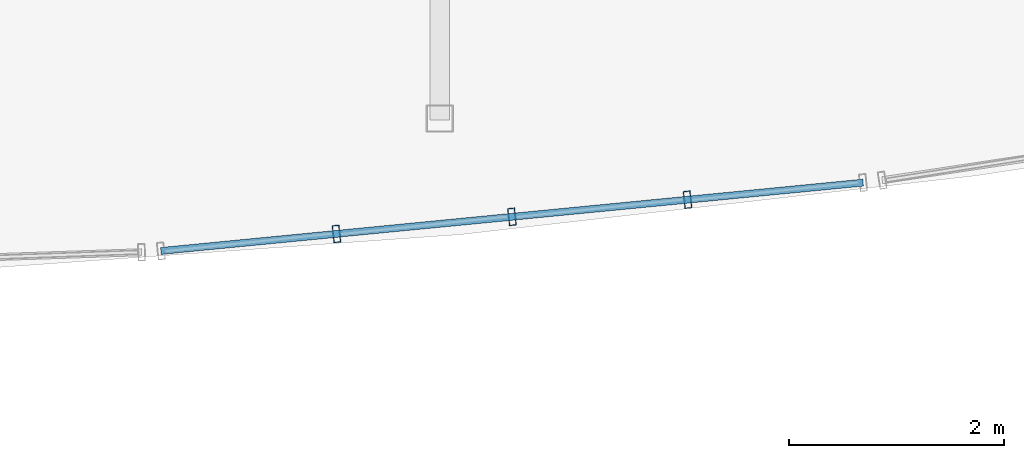
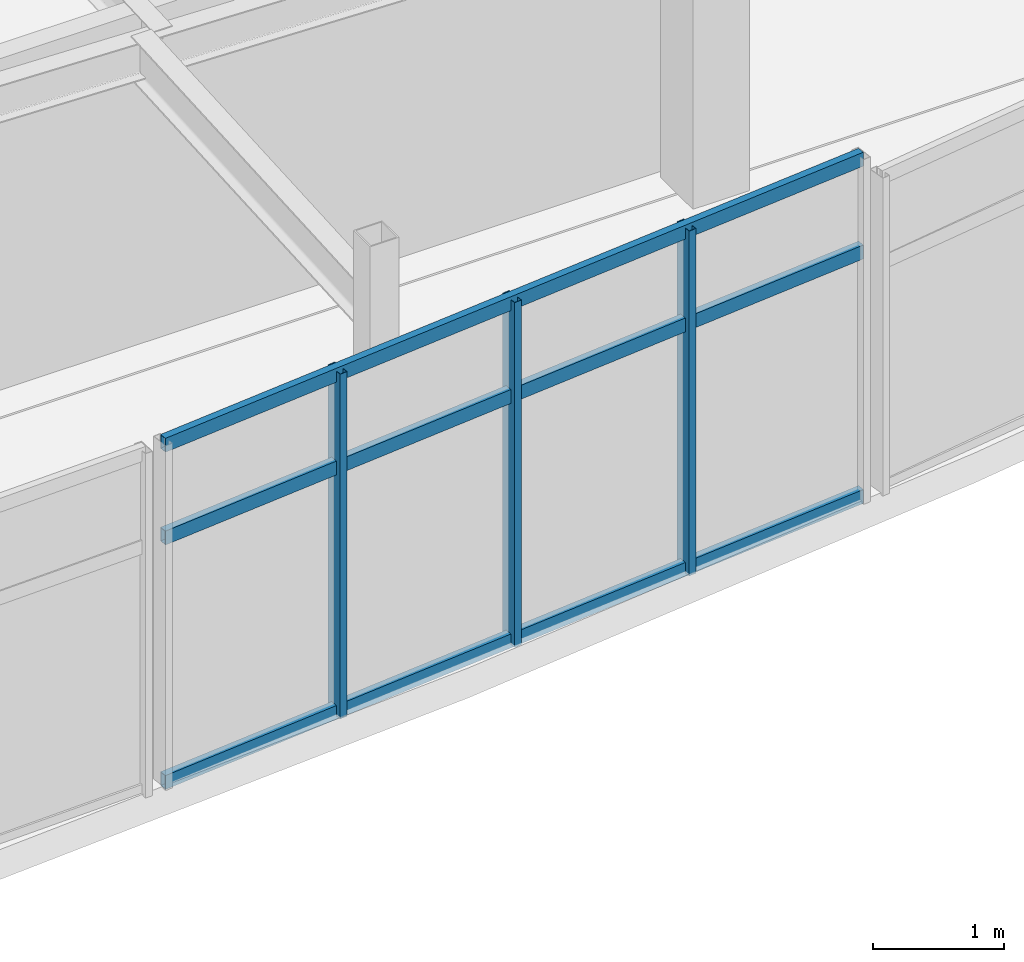
# One storey, part 26 of 65: 6 members, 1 element without a shape of its own.
"""IFC4 building model written with IfcOpenShell, lengths in metres."""

from ifc_helpers import new_model, si_unit, direction, frame, origin, origin_2d, place, context, subcontext, project, spatial, hollow_rectangle, extrude, material, layer, layer_set, material_profile, profile_set, type_object, element, aggregate, save


model = new_model("IFC4")

# Units and contexts
model_context = context("Model", 3, precision=1e-05, world=origin(), true_north=direction((0.0, 1.0)))
body_context = subcontext(model_context, "Body", "Model", "MODEL_VIEW")
ifc_project = project(units=[si_unit("LENGTHUNIT", "METRE"), si_unit("AREAUNIT", "SQUARE_METRE"), si_unit("VOLUMEUNIT", "CUBIC_METRE"), si_unit("PLANEANGLEUNIT", "RADIAN"), si_unit("MASSUNIT", "GRAM", prefix="KILO")], contexts=[model_context])

# Site, building, storey
site_placement = place(None, origin())
site = spatial("IfcSite", under=ifc_project, at=site_placement, CompositionType="ELEMENT")
building_placement = place(site_placement, origin())
building = spatial("IfcBuilding", under=site, at=building_placement, Name="Chalmorin Arch Market", CompositionType="ELEMENT")
storey_placement = place(building_placement, frame((0.0, 0.0, 14.10009765625)))
storey = spatial("IfcBuildingStorey", under=building, at=storey_placement, Name="L03", CompositionType="ELEMENT", Elevation=14.10009765625)

# Curtain wall, members
ifc_material = material(Name="Aluminium 6063-T6", Category="aluminium")
ifc_layer = layer(ifc_material, 0.159912109375)
ifc_layer_set = layer_set([ifc_layer], Name="Aluminium 6063-T6")
curtain_wall_type = type_object("IfcCurtainWallType", Name="CulinaryStudioCurtainWall-CW3-6570x3220", PredefinedType="NOTDEFINED", material=ifc_layer_set)
curtain_wall_placement = place(storey_placement, origin())
curtain_wall = element("IfcCurtainWall", 1, at=curtain_wall_placement, inside=storey, type_object=curtain_wall_type, Name="CW-03-170", PredefinedType="NOTDEFINED")
ifc_material_profile_1 = material_profile(ifc_material, hollow_rectangle(XDim=0.06494140625, YDim=0.159912109375, WallThickness=0.00390625, at=origin_2d()), Name="ALU65X160X4")
ifc_profile_set_1 = profile_set([ifc_material_profile_1], Name="Aluminium 6063-T6")
member_type_1 = type_object("IfcMemberType", Name="CurtainWallMullion-65x160", PredefinedType="MULLION", material=ifc_profile_set_1)
member_1_placement = place(storey_placement, frame((90.044921875, 67.312744140625, -0.02001953125), z_axis=(0.0, 0.0, 1.0), x_axis=(0.994521895368, 0.104528463268, 0.0)))
member_1 = element("IfcMember", 2, at=member_1_placement, type_object=member_type_1, Name="ML-170-02", PredefinedType="MULLION", context=body_context, shape_type="SweptSolid", body=[
    extrude(hollow_rectangle(XDim=0.06494140625, YDim=0.159912109375, WallThickness=0.00390625, at=origin_2d()), origin(), (0.0, 0.0, 1.0), 3.223876953125),
])
member_2_placement = place(storey_placement, frame((91.679931640625, 67.471923828125, -0.02001953125), z_axis=(0.0, 0.0, 1.0), x_axis=(0.994521895368, 0.104528463268, 0.0)))
member_2 = element("IfcMember", 3, at=member_2_placement, type_object=member_type_1, Name="ML-170-03", PredefinedType="MULLION", context=body_context, shape_type="SweptSolid", body=[
    extrude(hollow_rectangle(XDim=0.06494140625, YDim=0.159912109375, WallThickness=0.00390625, at=origin_2d()), origin(), (0.0, 0.0, 1.0), 3.223876953125),
])
member_3_placement = place(storey_placement, frame((93.315185546875, 67.631103515625, -0.02001953125), z_axis=(0.0, 0.0, 1.0), x_axis=(0.994521895368, 0.104528463268, 0.0)))
member_3 = element("IfcMember", 4, at=member_3_placement, type_object=member_type_1, Name="ML-170-04", PredefinedType="MULLION", context=body_context, shape_type="SweptSolid", body=[
    extrude(hollow_rectangle(XDim=0.06494140625, YDim=0.159912109375, WallThickness=0.00390625, at=origin_2d()), origin(), (0.0, 0.0, 1.0), 3.223876953125),
])
ifc_material_profile_2 = material_profile(ifc_material, hollow_rectangle(XDim=0.06494140625, YDim=0.1298828125, WallThickness=0.00390625, at=origin_2d()), Name="ALU65X130X4")
ifc_profile_set_2 = profile_set([ifc_material_profile_2], Name="Aluminium 6063-T6")
member_type_2 = type_object("IfcMemberType", Name="CurtainWallTransom-65x130", PredefinedType="USERDEFINED", material=ifc_profile_set_2)
member_4_placement = place(storey_placement, frame((88.40966796875, 67.15380859375, 0.014892578125), z_axis=(0.995298859057, 0.096851335357, 0.0), x_axis=(-0.096851335357, 0.995298859057, 0.0)))
member_4 = element("IfcMember", 5, at=member_4_placement, type_object=member_type_2, Name="TR-170-01", ObjectType="TRANSOM", PredefinedType="USERDEFINED", context=body_context, shape_type="SweptSolid", body=[
    extrude(hollow_rectangle(XDim=0.06494140625, YDim=0.1298828125, WallThickness=0.00390625, at=origin_2d()), origin(), (0.0, 0.0, 1.0), 6.57177734375),
])
member_5_placement = place(storey_placement, frame((88.40966796875, 67.15380859375, 2.30126953125), z_axis=(0.995298859057, 0.096851335357, 0.0), x_axis=(-0.096851335357, 0.995298859057, 0.0)))
member_5 = element("IfcMember", 6, at=member_5_placement, type_object=member_type_2, Name="TR-170-02", ObjectType="TRANSOM", PredefinedType="USERDEFINED", context=body_context, shape_type="SweptSolid", body=[
    extrude(hollow_rectangle(XDim=0.06494140625, YDim=0.1298828125, WallThickness=0.00390625, at=origin_2d()), origin(), (0.0, 0.0, 1.0), 6.57177734375),
])
member_6_placement = place(storey_placement, frame((88.40966796875, 67.15380859375, 3.1689453125), z_axis=(0.995298859057, 0.096851335357, 0.0), x_axis=(-0.096851335357, 0.995298859057, 0.0)))
member_6 = element("IfcMember", 7, at=member_6_placement, type_object=member_type_2, Name="TR-170-03", ObjectType="TRANSOM", PredefinedType="USERDEFINED", context=body_context, shape_type="SweptSolid", body=[
    extrude(hollow_rectangle(XDim=0.06494140625, YDim=0.1298828125, WallThickness=0.00390625, at=origin_2d()), origin(), (0.0, 0.0, 1.0), 6.57177734375),
])
aggregate(curtain_wall, [member_1, member_2, member_3, member_4, member_5, member_6])

save(model, "model.ifc")
